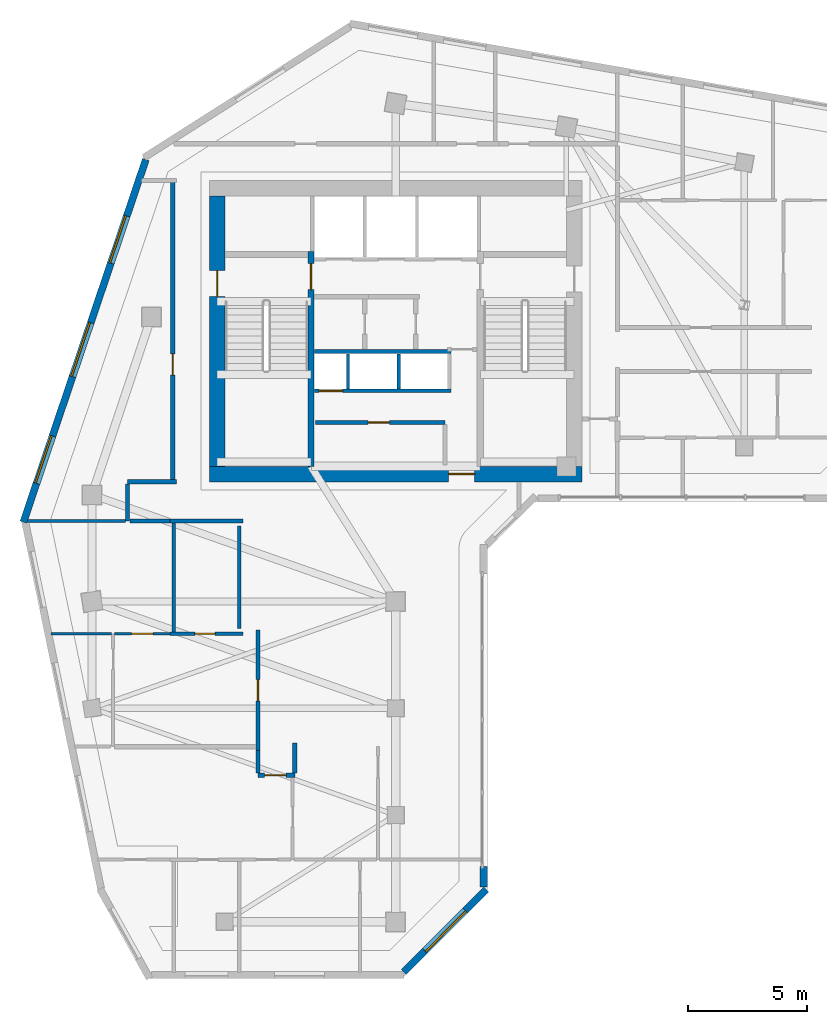
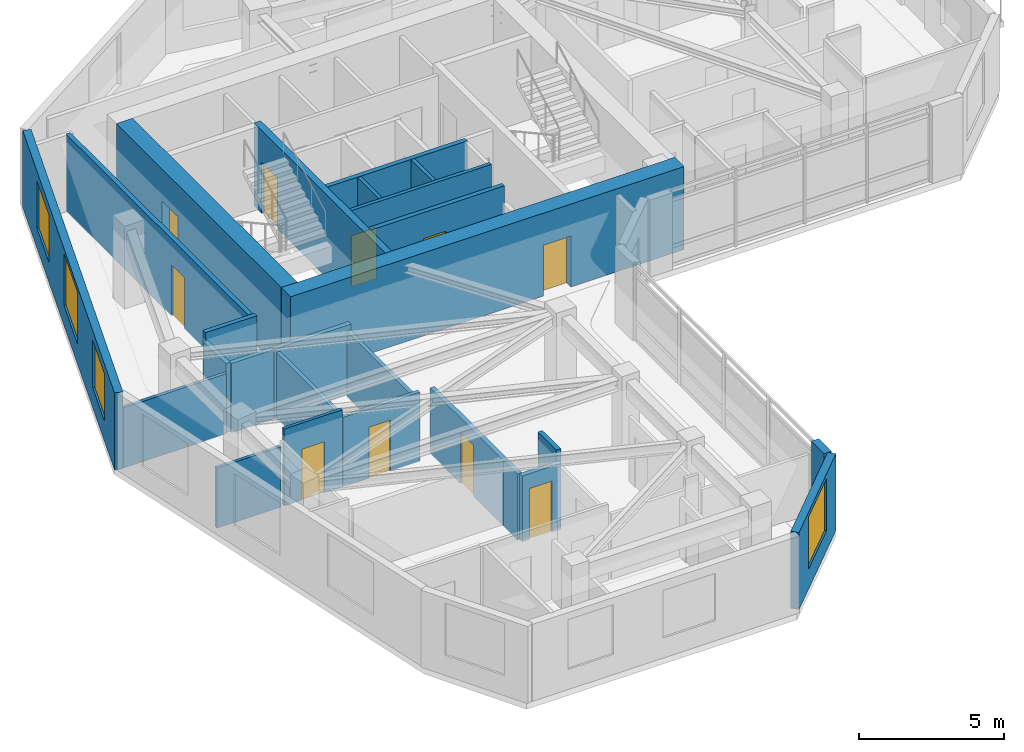
# One storey, part 4 of 10: 26 walls, 10 doors, 4 windows, 14 openings.
"""IFC4 building model written with IfcOpenShell, lengths in metres."""

from ifc_helpers import new_model, si_unit, direction, frame, frame_2d, origin, place, context, subcontext, project, spatial, rectangle, extrude, source, transform, mapped, material, layer, layer_set, type_object, element, fill, save


model = new_model("IFC4")

# Units and contexts
model_context = context("Model", 3, precision=1e-05, world=origin(), true_north=direction((0.0, 1.0)))
body_context = subcontext(model_context, "Body", "Model", "MODEL_VIEW")
ifc_project = project(units=[si_unit("LENGTHUNIT", "METRE"), si_unit("AREAUNIT", "SQUARE_METRE"), si_unit("VOLUMEUNIT", "CUBIC_METRE"), si_unit("PLANEANGLEUNIT", "RADIAN"), si_unit("MASSUNIT", "GRAM", prefix="KILO")], contexts=[model_context])

# Site, building, storey
site_placement = place(None, origin())
site = spatial("IfcSite", under=ifc_project, at=site_placement, CompositionType="ELEMENT")
building_placement = place(site_placement, origin())
building = spatial("IfcBuilding", under=site, at=building_placement, Name="Calvemar Wedge Station Tower", CompositionType="ELEMENT")
storey_placement = place(building_placement, frame((0.0, 0.0, 218.39990234375)))
storey = spatial("IfcBuildingStorey", under=building, at=storey_placement, Name="L55", CompositionType="ELEMENT", Elevation=218.39990234375)

# Wall, opening, door
ifc_material_1 = material(Name="Concrete C50", Category="concrete")
ifc_layer_1 = layer(ifc_material_1, 0.260009765625)
ifc_layer_set_1 = layer_set([ifc_layer_1], Name="Concrete C50")
wall_type_1 = type_object("IfcWallType", Name="SW-CORE-260", PredefinedType="SHEAR", material=ifc_layer_set_1)
wall_1_placement = place(storey_placement, frame((20.22998046875, 34.199951171875, 0.0), z_axis=(0.0, 0.0, 1.0), x_axis=(0.0, 1.0, 0.0)))
wall_1 = element("IfcWall", 1, at=wall_1_placement, inside=storey, type_object=wall_type_1, Name="Storey L55 Core Shear Wall SPINE-W", PredefinedType="SHEAR", context=body_context, shape_type="SweptSolid", body=[
    extrude(rectangle(XDim=9.06005859375, YDim=0.260009765625, at=frame_2d((4.530029296875, 0.0))), origin(), (0.0, 0.0, 1.0), 3.5),
])
shared_shape_1 = source(origin(), body_context, "Body", "SweptSolid", [
    extrude(rectangle(XDim=1.10009765625, YDim=2.14990234375, at=frame_2d((0.550048828125, 1.074951171875))), frame((0.0, 0.14013671875, 0.0), z_axis=(0.0, -1.0, 0.0), x_axis=(1.0, 0.0, 0.0)), (0.0, 0.0, 1.0), 0.280029296875),
])
opening_1_placement = place(wall_1_placement, frame((7.449951171875, 0.0, 0.0)))
opening_1 = element("IfcOpeningElement", 2, at=opening_1_placement, cuts=wall_1, Name="Opening FD-90", PredefinedType="OPENING", context=body_context, shape_type="MappedRepresentation", body=[
    mapped(shared_shape_1, transform((0.0, 0.0, 0.0), scale=1.0)),
])
ifc_material_2 = material(Name="Galvanized fire-rated steel door leaf P-90", Category="steel")
door_type_1 = type_object("IfcDoorType", Name="DR-FD90-1100", OperationType="NOTDEFINED", PredefinedType="DOOR", material=ifc_material_2)
shared_shape_2 = source(origin(), body_context, "Body", "SweptSolid", [
    extrude(rectangle(XDim=1.10009765625, YDim=2.14990234375, at=frame_2d((0.550048828125, 1.074951171875))), frame((0.0, 0.02490234375, 0.0), z_axis=(0.0, -1.0, 0.0), x_axis=(1.0, 0.0, 0.0)), (0.0, 0.0, 1.0), 0.050048828125),
])
door_1_placement = place(opening_1_placement, origin())
door_1 = element("IfcDoor", 3, at=door_1_placement, inside=storey, type_object=door_type_1, Name="L55 FF Lobby to Stair ST-C1 Door", OperationType="SINGLE_SWING_LEFT", OverallHeight=2.14990234375, OverallWidth=1.10009765625, PredefinedType="DOOR", context=body_context, shape_type="MappedRepresentation", body=[
    mapped(shared_shape_2, transform((0.0, 0.0, 0.0), scale=1.0)),
])
fill(opening_1, door_1)

ifc_material_3 = material(Name="Concrete C60", Category="concrete")
ifc_layer_2 = layer(ifc_material_3, 0.64990234375)
ifc_layer_set_2 = layer_set([ifc_layer_2], Name="Concrete C60")
wall_type_2 = type_object("IfcWallType", Name="SW-CORE-650", PredefinedType="SHEAR", material=ifc_layer_set_2)
wall_2_placement = place(storey_placement, frame((15.949951171875, 33.875, 0.0), z_axis=(0.0, 0.0, 1.0), x_axis=(1.0, 0.0, 0.0)))
wall_2 = element("IfcWall", 4, at=wall_2_placement, inside=storey, type_object=wall_type_2, Name="Storey L55 Core Shear Wall S", PredefinedType="SHEAR", context=body_context, shape_type="SweptSolid", body=[
    extrude(rectangle(XDim=15.699951171875, YDim=0.64990234375, at=frame_2d((7.85009765625, 0.0))), origin(), (0.0, 0.0, 1.0), 3.5),
])
shared_shape_3 = source(origin(), body_context, "Body", "SweptSolid", [
    extrude(rectangle(XDim=1.10009765625, YDim=2.14990234375, at=frame_2d((0.550048828125, 1.074951171875))), frame((0.0, 0.3349609375, 0.0), z_axis=(0.0, -1.0, 0.0), x_axis=(1.0, 0.0, 0.0)), (0.0, 0.0, 1.0), 0.669921875),
])
opening_2_placement = place(wall_2_placement, frame((10.080078125, 0.0, 0.0)))
opening_2 = element("IfcOpeningElement", 5, at=opening_2_placement, cuts=wall_2, Name="Opening FD-90", PredefinedType="OPENING", context=body_context, shape_type="MappedRepresentation", body=[
    mapped(shared_shape_3, transform((0.0, 0.0, 0.0), scale=1.0)),
])
door_2_placement = place(opening_2_placement, origin())
door_2 = element("IfcDoor", 6, at=door_2_placement, inside=storey, type_object=door_type_1, Name="L55 Passenger Lift Lobby Door", OperationType="SINGLE_SWING_LEFT", OverallHeight=2.14990234375, OverallWidth=1.10009765625, PredefinedType="DOOR", context=body_context, shape_type="MappedRepresentation", body=[
    mapped(shared_shape_2, transform((0.0, 0.0, 0.0), scale=1.0)),
])
fill(opening_2, door_2)

wall_3_placement = place(storey_placement, frame((16.27490234375, 34.199951171875, 0.0), z_axis=(0.0, 0.0, 1.0), x_axis=(0.0, 1.0, 0.0)))
wall_3 = element("IfcWall", 7, at=wall_3_placement, inside=storey, type_object=wall_type_2, Name="Storey L55 Core Shear Wall W", PredefinedType="SHEAR", context=body_context, shape_type="SweptSolid", body=[
    extrude(rectangle(XDim=11.400146484375, YDim=0.64990234375, at=frame_2d((5.7001953125, 0.0))), origin(), (0.0, 0.0, 1.0), 3.5),
])
opening_3_placement = place(wall_3_placement, frame((7.14990234375, 0.0, 0.0)))
opening_3 = element("IfcOpeningElement", 8, at=opening_3_placement, cuts=wall_3, Name="Opening FD-90", PredefinedType="OPENING", context=body_context, shape_type="MappedRepresentation", body=[
    mapped(shared_shape_3, transform((0.0, 0.0, 0.0), scale=1.0)),
])
door_3_placement = place(opening_3_placement, origin())
door_3 = element("IfcDoor", 9, at=door_3_placement, inside=storey, type_object=door_type_1, Name="L55 West Corridor to Exit Stair ST-C1 Door", OperationType="SINGLE_SWING_LEFT", OverallHeight=2.14990234375, OverallWidth=1.10009765625, PredefinedType="DOOR", context=body_context, shape_type="MappedRepresentation", body=[
    mapped(shared_shape_2, transform((0.0, 0.0, 0.0), scale=1.0)),
])
fill(opening_3, door_3)

ifc_material_4 = material(Name="Double-stud fire-rated corridor partition")
ifc_layer_3 = layer(ifc_material_4, 0.179931640625)
ifc_layer_set_3 = layer_set([ifc_layer_3], Name="Double-stud fire-rated corridor partition")
wall_type_3 = type_object("IfcWallType", Name="W-CORR-180", PredefinedType="PARTITIONING", material=ifc_layer_set_3)
wall_4_placement = place(storey_placement, frame((20.419921875, 36.050048828125, 0.0), z_axis=(0.0, 0.0, 1.0), x_axis=(1.0, 0.0, 0.0)))
wall_4 = element("IfcWall", 10, at=wall_4_placement, inside=storey, type_object=wall_type_3, Name="Storey L55 Interior Partition WL-L55-006", PredefinedType="PARTITIONING", context=body_context, shape_type="SweptSolid", body=[
    extrude(rectangle(XDim=5.4599609375, YDim=0.179931640625, at=frame_2d((2.72998046875, 0.0))), origin(), (0.0, 0.0, 1.0), 3.25),
])
shared_shape_4 = source(origin(), body_context, "Body", "SweptSolid", [
    extrude(rectangle(XDim=0.89990234375, YDim=2.14990234375, at=frame_2d((0.449951171875, 1.074951171875))), frame((0.0, 0.10009765625, 0.0), z_axis=(0.0, -1.0, 0.0), x_axis=(1.0, 0.0, 0.0)), (0.0, 0.0, 1.0), 0.199951171875),
])
opening_4_placement = place(wall_4_placement, frame((2.219482421875, 0.0, 0.0)))
opening_4 = element("IfcOpeningElement", 11, at=opening_4_placement, cuts=wall_4, Name="Opening FD-60", PredefinedType="OPENING", context=body_context, shape_type="MappedRepresentation", body=[
    mapped(shared_shape_4, transform((0.0, 0.0, 0.0), scale=1.0)),
])
ifc_material_5 = material(Name="Fire-rated acoustic timber-core entrance door EI 60", Category="wood")
door_type_2 = type_object("IfcDoorType", Name="DR-FD60-900", OperationType="NOTDEFINED", PredefinedType="DOOR", material=ifc_material_5)
shared_shape_5 = source(origin(), body_context, "Body", "SweptSolid", [
    extrude(rectangle(XDim=0.89990234375, YDim=2.14990234375, at=frame_2d((0.449951171875, 1.074951171875))), frame((0.0, 0.02490234375, 0.0), z_axis=(0.0, -1.0, 0.0), x_axis=(1.0, 0.0, 0.0)), (0.0, 0.0, 1.0), 0.050048828125),
])
door_4_placement = place(opening_4_placement, origin())
door_4 = element("IfcDoor", 12, at=door_4_placement, inside=storey, type_object=door_type_2, Name="L55 Parcel and Resident Store Door", OperationType="SINGLE_SWING_LEFT", OverallHeight=2.14990234375, OverallWidth=0.89990234375, PredefinedType="DOOR", context=body_context, shape_type="MappedRepresentation", body=[
    mapped(shared_shape_5, transform((0.0, 0.0, 0.0), scale=1.0)),
])
fill(opening_4, door_4)

# Walls
wall_5_placement = place(storey_placement, frame((12.5, 33.550048828125, 0.0), z_axis=(0.0, 0.0, 1.0), x_axis=(1.0, 0.0, 0.0)))
element("IfcWall", 13, at=wall_5_placement, inside=storey, type_object=wall_type_3, Name="Storey L55 Interior Partition WL-L55-008", PredefinedType="PARTITIONING", context=body_context, shape_type="SweptSolid", body=[
    extrude(rectangle(XDim=2.06005859375, YDim=0.179931640625, at=frame_2d((1.030029296875, 0.0))), origin(), (0.0, 0.0, 1.0), 3.25),
])
wall_6_placement = place(storey_placement, frame((12.5, 31.89990234375, 0.0), z_axis=(0.0, 0.0, 1.0), x_axis=(0.0, 1.0, 0.0)))
element("IfcWall", 14, at=wall_6_placement, inside=storey, type_object=wall_type_3, Name="Storey L55 Interior Partition WL-L55-009", PredefinedType="PARTITIONING", context=body_context, shape_type="SweptSolid", body=[
    extrude(rectangle(XDim=1.55615234375, YDim=0.179931640625, at=frame_2d((0.778076171875, 0.0))), origin(), (0.0, 0.0, 1.0), 2.919189453125),
])
wall_7_placement = place(storey_placement, frame((17.360107421875, 31.89990234375, 0.0), z_axis=(0.0, 0.0, 1.0), x_axis=(-1.0, 0.0, 0.0)))
element("IfcWall", 15, at=wall_7_placement, inside=storey, type_object=wall_type_3, Name="Storey L55 Interior Partition WL-L55-011", PredefinedType="PARTITIONING", context=body_context, shape_type="SweptSolid", body=[
    extrude(rectangle(XDim=3.070068359375, YDim=0.179931640625, at=frame_2d((1.53515625, 0.0))), origin(), (0.0, 0.0, 1.0), 2.919189453125),
])
wall_8_placement = place(storey_placement, frame((14.2880859375, 31.89990234375, 0.0), z_axis=(0.0, 0.0, 1.0), x_axis=(-1.0, 0.0, 0.0)))
element("IfcWall", 16, at=wall_8_placement, inside=storey, type_object=wall_type_3, Name="Storey L55 Interior Partition WL-L55-012", PredefinedType="PARTITIONING", context=body_context, shape_type="SweptSolid", body=[
    extrude(rectangle(XDim=1.694091796875, YDim=0.179931640625, at=frame_2d((0.84716796875, 0.0))), origin(), (0.0, 0.0, 1.0), 2.919189453125),
])

# Wall, opening, door
wall_9_placement = place(storey_placement, frame((14.39990234375, 33.64404296875, 0.0), z_axis=(0.0, 0.0, 1.0), x_axis=(0.0, 1.0, 0.0)))
wall_9 = element("IfcWall", 17, at=wall_9_placement, inside=storey, type_object=wall_type_3, Name="Storey L55 Interior Partition WL-L55-013", PredefinedType="PARTITIONING", context=body_context, shape_type="SweptSolid", body=[
    extrude(rectangle(XDim=12.60595703125, YDim=0.179931640625, at=frame_2d((6.302978515625, 0.0))), origin(), (0.0, 0.0, 1.0), 3.25),
])
opening_5_placement = place(wall_9_placement, frame((4.399169921875, 0.0, 0.0)))
opening_5 = element("IfcOpeningElement", 18, at=opening_5_placement, cuts=wall_9, Name="Opening D-01", PredefinedType="OPENING", context=body_context, shape_type="MappedRepresentation", body=[
    mapped(shared_shape_4, transform((0.0, 0.0, 0.0), scale=1.0)),
])
ifc_material_6 = material(Name="Architectural hardwood acoustic swing door", Category="wood")
door_type_3 = type_object("IfcDoorType", Name="DR-INT-900", OperationType="NOTDEFINED", PredefinedType="DOOR", material=ifc_material_6)
shared_shape_6 = source(origin(), body_context, "Body", "SweptSolid", [
    extrude(rectangle(XDim=0.89990234375, YDim=2.14990234375, at=frame_2d((0.449951171875, 1.074951171875))), frame((0.0, 0.02490234375, 0.0), z_axis=(0.0, -1.0, 0.0), x_axis=(1.0, 0.0, 0.0)), (0.0, 0.0, 1.0), 0.050048828125),
])
door_5_placement = place(opening_5_placement, origin())
door_5 = element("IfcDoor", 19, at=door_5_placement, inside=storey, type_object=door_type_3, Name="L55 Resident Reading Lounge Door", OperationType="SINGLE_SWING_RIGHT", OverallHeight=2.14990234375, OverallWidth=0.89990234375, PredefinedType="DOOR", context=body_context, shape_type="MappedRepresentation", body=[
    mapped(shared_shape_6, transform((0.0, 0.0, 0.0), scale=1.0)),
])
fill(opening_5, door_5)

wall_10_placement = place(storey_placement, frame((18.0, 22.222900390625, 0.0), z_axis=(0.0, 0.0, 1.0), x_axis=(0.0, 1.0, 0.0)))
wall_10 = element("IfcWall", 20, at=wall_10_placement, inside=storey, type_object=wall_type_3, Name="Storey L55 Interior Partition WL-L55-044", PredefinedType="PARTITIONING", context=body_context, shape_type="SweptSolid", body=[
    extrude(rectangle(XDim=5.0791015625, YDim=0.179931640625, at=frame_2d((2.53955078125, 0.0))), origin(), (0.0, 0.0, 1.0), 2.76611328125),
])
opening_6_placement = place(wall_10_placement, frame((2.089599609375, 0.0, 0.0)))
opening_6 = element("IfcOpeningElement", 21, at=opening_6_placement, cuts=wall_10, Name="Opening FD-60", PredefinedType="OPENING", context=body_context, shape_type="MappedRepresentation", body=[
    mapped(shared_shape_4, transform((0.0, 0.0, 0.0), scale=1.0)),
])
door_6_placement = place(opening_6_placement, origin())
door_6 = element("IfcDoor", 22, at=door_6_placement, inside=storey, type_object=door_type_2, Name="L55 Living Dining Door", OperationType="SINGLE_SWING_RIGHT", OverallHeight=2.14990234375, OverallWidth=0.89990234375, PredefinedType="DOOR", context=body_context, shape_type="MappedRepresentation", body=[
    mapped(shared_shape_5, transform((0.0, 0.0, 0.0), scale=1.0)),
])
fill(opening_6, door_6)

wall_11_placement = place(storey_placement, frame((19.550048828125, 21.18310546875, 0.0), z_axis=(0.0, 0.0, 1.0), x_axis=(-1.0, 0.0, 0.0)))
wall_11 = element("IfcWall", 23, at=wall_11_placement, inside=storey, type_object=wall_type_3, Name="Storey L55 Interior Partition WL-L55-045", PredefinedType="PARTITIONING", context=body_context, shape_type="SweptSolid", body=[
    extrude(rectangle(XDim=1.550048828125, YDim=0.179931640625, at=frame_2d((0.77490234375, 0.0))), origin(), (0.0, 0.0, 1.0), 2.779052734375),
])
opening_7_placement = place(wall_11_placement, frame((0.3701171875, 0.0, 0.0)))
opening_7 = element("IfcOpeningElement", 24, at=opening_7_placement, cuts=wall_11, Name="Opening FD-60", PredefinedType="OPENING", context=body_context, shape_type="MappedRepresentation", body=[
    mapped(shared_shape_4, transform((0.0, 0.0, 0.0), scale=1.0)),
])
door_7_placement = place(opening_7_placement, origin())
door_7 = element("IfcDoor", 25, at=door_7_placement, inside=storey, type_object=door_type_2, Name="L55 Living Dining Door", OperationType="SINGLE_SWING_LEFT", OverallHeight=2.14990234375, OverallWidth=0.89990234375, PredefinedType="DOOR", context=body_context, shape_type="MappedRepresentation", body=[
    mapped(shared_shape_5, transform((0.0, 0.0, 0.0), scale=1.0)),
])
fill(opening_7, door_7)

# Walls
wall_12_placement = place(storey_placement, frame((18.0, 21.277099609375, 0.0), z_axis=(0.0, 0.0, 1.0), x_axis=(0.0, 1.0, 0.0)))
element("IfcWall", 26, at=wall_12_placement, inside=storey, type_object=wall_type_3, Name="Storey L55 Interior Partition WL-L55-046", PredefinedType="PARTITIONING", context=body_context, shape_type="SweptSolid", body=[
    extrude(rectangle(XDim=0.94384765625, YDim=0.179931640625, at=frame_2d((0.471923828125, 0.0))), origin(), (0.0, 0.0, 1.0), 2.779052734375),
])
wall_13_placement = place(storey_placement, frame((19.550048828125, 22.54296875, 0.0), z_axis=(0.0, 0.0, 1.0), x_axis=(0.0, -1.0, 0.0)))
element("IfcWall", 27, at=wall_13_placement, inside=storey, type_object=wall_type_3, Name="Storey L55 Interior Partition WL-L55-047", PredefinedType="PARTITIONING", context=body_context, shape_type="SweptSolid", body=[
    extrude(rectangle(XDim=1.265869140625, YDim=0.179931640625, at=frame_2d((0.6328125, 0.0))), origin(), (0.0, 0.0, 1.0), 3.25),
])

# Wall, opening, window
ifc_material_7 = material(Name="Precast concrete C45", Category="concrete")
ifc_layer_4 = layer(ifc_material_7, 0.300048828125)
ifc_layer_set_4 = layer_set([ifc_layer_4], Name="Precast concrete C45")
wall_type_4 = type_object("IfcWallType", Name="W-EXT-GFRC-300", PredefinedType="SOLIDWALL", material=ifc_layer_set_4)
wall_14_placement = place(storey_placement, frame((24.139892578125, 12.887939453125, 0.0), z_axis=(0.0, 0.0, 1.0), x_axis=(0.707106781187, 0.707106781187, 0.0)))
wall_14 = element("IfcWall", 28, at=wall_14_placement, inside=storey, type_object=wall_type_4, Name="Storey L55 Bronze GFRC Exterior Wall 3", PredefinedType="SOLIDWALL", context=body_context, shape_type="SweptSolid", body=[
    extrude(rectangle(XDim=4.921875, YDim=0.300048828125, at=frame_2d((2.4609375, 0.0))), origin(), (0.0, 0.0, 1.0), 3.25),
])
shared_shape_7 = source(origin(), body_context, "Body", "SweptSolid", [
    extrude(rectangle(XDim=2.39990234375, YDim=2.199951171875, at=frame_2d((1.199951171875, 1.10009765625))), frame((0.0, 0.16015625, 0.0), z_axis=(0.0, -1.0, 0.0), x_axis=(1.0, 0.0, 0.0)), (0.0, 0.0, 1.0), 0.320068359375),
])
opening_8_placement = place(wall_14_placement, frame((1.260986328125, 0.0, 0.85009765625)))
opening_8 = element("IfcOpeningElement", 29, at=opening_8_placement, cuts=wall_14, Name="Opening W1", PredefinedType="OPENING", context=body_context, shape_type="MappedRepresentation", body=[
    mapped(shared_shape_7, transform((0.0, 0.0, 0.0), scale=1.0)),
])
ifc_material_8 = material(Name="Low-E laminated insulated glass", Category="glass")
window_type_1 = type_object("IfcWindowType", Name="WIN-EXT-1", PartitioningType="SINGLE_PANEL", PredefinedType="WINDOW", material=ifc_material_8)
shared_shape_8 = source(origin(), body_context, "Body", "SweptSolid", [
    extrude(rectangle(XDim=2.39990234375, YDim=2.199951171875, at=frame_2d((1.199951171875, 1.10009765625))), frame((0.0, -0.014892578125, 0.0), z_axis=(0.0, -1.0, 0.0), x_axis=(1.0, 0.0, 0.0)), (0.0, 0.0, 1.0), 0.06005859375),
])
window_1_placement = place(opening_8_placement, origin())
window_1 = element("IfcWindow", 30, at=window_1_placement, inside=storey, type_object=window_type_1, Name="Storey L55 Recessed Window 3.1", OverallHeight=2.199951171875, OverallWidth=2.39990234375, PartitioningType="SINGLE_PANEL", PredefinedType="WINDOW", context=body_context, shape_type="MappedRepresentation", body=[
    mapped(shared_shape_8, transform((0.0, 0.0, 0.0), scale=1.0)),
])
fill(opening_8, window_1)

# Wall
wall_15_placement = place(storey_placement, frame((27.513916015625, 16.457275390625, 0.0), z_axis=(0.0, 0.0, 1.0), x_axis=(0.0, 1.0, 0.0)))
element("IfcWall", 31, at=wall_15_placement, inside=storey, type_object=wall_type_4, Name="Storey L55 Bronze GFRC Corner Pier 4A", PredefinedType="SOLIDWALL", context=body_context, shape_type="SweptSolid", body=[
    extrude(rectangle(XDim=0.88232421875, YDim=0.300048828125, at=frame_2d((0.441162109375, 0.0))), origin(), (0.0, 0.0, 1.0), 3.25),
])

# Wall, openings, windows
wall_16_placement = place(storey_placement, frame((13.2685546875, 47.1337890625, 0.0), z_axis=(0.0, 0.0, 1.0), x_axis=(-0.319920776449, -0.947444297464, 0.0)))
wall_16 = element("IfcWall", 32, at=wall_16_placement, inside=storey, type_object=wall_type_4, Name="Storey L55 Bronze GFRC Exterior Wall 12", PredefinedType="SOLIDWALL", context=body_context, shape_type="SweptSolid", body=[
    extrude(rectangle(XDim=16.13330078125, YDim=0.300048828125, at=frame_2d((8.066650390625, 0.0))), origin(), (0.0, 0.0, 1.0), 3.25),
])
shared_shape_9 = source(origin(), body_context, "Body", "SweptSolid", [
    extrude(rectangle(XDim=2.10009765625, YDim=2.0, at=frame_2d((1.050048828125, 1.0))), frame((0.0, 0.16015625, 0.0), z_axis=(0.0, -1.0, 0.0), x_axis=(1.0, 0.0, 0.0)), (0.0, 0.0, 1.0), 0.320068359375),
])
opening_9_placement = place(wall_16_placement, frame((2.512939453125, 0.0, 0.85009765625)))
opening_9 = element("IfcOpeningElement", 33, at=opening_9_placement, cuts=wall_16, Name="Opening W4", PredefinedType="OPENING", context=body_context, shape_type="MappedRepresentation", body=[
    mapped(shared_shape_9, transform((0.0, 0.0, 0.0), scale=1.0)),
])
opening_10_placement = place(wall_16_placement, frame((7.260009765625, 0.0, 0.85009765625)))
opening_10 = element("IfcOpeningElement", 34, at=opening_10_placement, cuts=wall_16, Name="Opening W1", PredefinedType="OPENING", context=body_context, shape_type="MappedRepresentation", body=[
    mapped(shared_shape_7, transform((0.0, 0.0, 0.0), scale=1.0)),
])
opening_11_placement = place(wall_16_placement, frame((12.306884765625, 0.0, 0.85009765625)))
opening_11 = element("IfcOpeningElement", 35, at=opening_11_placement, cuts=wall_16, Name="Opening W4", PredefinedType="OPENING", context=body_context, shape_type="MappedRepresentation", body=[
    mapped(shared_shape_9, transform((0.0, 0.0, 0.0), scale=1.0)),
])
window_type_2 = type_object("IfcWindowType", Name="WIN-EXT-4", PartitioningType="SINGLE_PANEL", PredefinedType="WINDOW", material=ifc_material_8)
shared_shape_10 = source(origin(), body_context, "Body", "SweptSolid", [
    extrude(rectangle(XDim=2.10009765625, YDim=2.0, at=frame_2d((1.050048828125, 1.0))), frame((0.0, -0.014892578125, 0.0), z_axis=(0.0, -1.0, 0.0), x_axis=(1.0, 0.0, 0.0)), (0.0, 0.0, 1.0), 0.06005859375),
])
window_2_placement = place(opening_9_placement, origin())
window_2 = element("IfcWindow", 36, at=window_2_placement, inside=storey, type_object=window_type_2, Name="Storey L55 Recessed Window 12.1", OverallHeight=2.0, OverallWidth=2.10009765625, PartitioningType="SINGLE_PANEL", PredefinedType="WINDOW", context=body_context, shape_type="MappedRepresentation", body=[
    mapped(shared_shape_10, transform((0.0, 0.0, 0.0), scale=1.0)),
])
fill(opening_9, window_2)
window_3_placement = place(opening_11_placement, origin())
window_3 = element("IfcWindow", 37, at=window_3_placement, inside=storey, type_object=window_type_2, Name="Storey L55 Recessed Window 12.3", OverallHeight=2.0, OverallWidth=2.10009765625, PartitioningType="SINGLE_PANEL", PredefinedType="WINDOW", context=body_context, shape_type="MappedRepresentation", body=[
    mapped(shared_shape_10, transform((0.0, 0.0, 0.0), scale=1.0)),
])
fill(opening_11, window_3)
window_4_placement = place(opening_10_placement, origin())
window_4 = element("IfcWindow", 38, at=window_4_placement, inside=storey, type_object=window_type_1, Name="Storey L55 Recessed Window 12.2", OverallHeight=2.199951171875, OverallWidth=2.39990234375, PartitioningType="SINGLE_PANEL", PredefinedType="WINDOW", context=body_context, shape_type="MappedRepresentation", body=[
    mapped(shared_shape_8, transform((0.0, 0.0, 0.0), scale=1.0)),
])
fill(opening_10, window_4)

# Wall, opening, door
ifc_material_9 = material(Name="Reinforced concrete blockwork lift shaft wall", Category="masonry")
ifc_layer_5 = layer(ifc_material_9, 0.139892578125)
ifc_layer_set_5 = layer_set([ifc_layer_5], Name="Reinforced concrete blockwork lift shaft wall")
wall_type_5 = type_object("IfcWallType", Name="W-LIFT-160", PredefinedType="SOLIDWALL", material=ifc_layer_set_5)
wall_17_placement = place(storey_placement, frame((20.3798828125, 37.3798828125, 0.0), z_axis=(0.0, 0.0, 1.0), x_axis=(1.0, 0.0, 0.0)))
wall_17 = element("IfcWall", 39, at=wall_17_placement, inside=storey, type_object=wall_type_5, Name="Storey L55 Upper Passenger Lift Bank Front Wall", PredefinedType="SOLIDWALL", context=body_context, shape_type="SweptSolid", body=[
    extrude(rectangle(XDim=5.75, YDim=0.139892578125, at=frame_2d((2.875, 0.0))), origin(), (0.0, 0.0, 1.0), 3.25),
])
shared_shape_11 = source(origin(), body_context, "Body", "SweptSolid", [
    extrude(rectangle(XDim=1.0, YDim=2.14990234375, at=frame_2d((0.5, 1.074951171875))), frame((0.0, 0.080078125, 0.0), z_axis=(0.0, -1.0, 0.0), x_axis=(1.0, 0.0, 0.0)), (0.0, 0.0, 1.0), 0.159912109375),
])
opening_12_placement = place(wall_17_placement, frame((0.18994140625, 0.0, 0.0)))
opening_12 = element("IfcOpeningElement", 40, at=opening_12_placement, cuts=wall_17, Name="Opening LD-PAX", PredefinedType="OPENING", context=body_context, shape_type="MappedRepresentation", body=[
    mapped(shared_shape_11, transform((0.0, 0.0, 0.0), scale=1.0)),
])
ifc_material_10 = material(Name="Anodised bronze passenger lift sliding landing door")
door_type_4 = type_object("IfcDoorType", Name="DR-LD-PAX-1000", OperationType="SLIDING_TO_LEFT", PredefinedType="DOOR", material=ifc_material_10)
shared_shape_12 = source(origin(), body_context, "Body", "SweptSolid", [
    extrude(rectangle(XDim=1.0, YDim=2.14990234375, at=frame_2d((0.5, 1.074951171875))), frame((0.0, 0.02490234375, 0.0), z_axis=(0.0, -1.0, 0.0), x_axis=(1.0, 0.0, 0.0)), (0.0, 0.0, 1.0), 0.050048828125),
])
door_8_placement = place(opening_12_placement, origin())
door_8 = element("IfcDoor", 41, at=door_8_placement, inside=storey, type_object=door_type_4, Name="L55 Lift RH-01 Sliding Landing Door", OperationType="SLIDING_TO_LEFT", OverallHeight=2.14990234375, OverallWidth=1.0, PredefinedType="DOOR", context=body_context, shape_type="MappedRepresentation", body=[
    mapped(shared_shape_12, transform((0.0, 0.0, 0.0), scale=1.0)),
])
fill(opening_12, door_8)

# Walls
for number, where, z_axis, x_axis, name in (
    (42, (21.794921875, 37.4599609375, 0.0), (0.0, 0.0, 1.0), (0.0, 1.0, 0.0), "Storey L55 Upper Passenger Lift Shaft Wall D1"),
    (43, (23.93505859375, 37.4599609375, 0.0), (0.0, 0.0, 1.0), (0.0, 1.0, 0.0), "Storey L55 Upper Passenger Lift Shaft Wall D2"),
):
    element("IfcWall", number, at=place(storey_placement, frame(where, z_axis=z_axis, x_axis=x_axis)), inside=storey, type_object=wall_type_5, Name=name, PredefinedType="SOLIDWALL", context=body_context, shape_type="SweptSolid", body=[
        extrude(rectangle(XDim=1.47998046875, YDim=0.139892578125, at=frame_2d((0.739990234375, 0.0))), origin(), (0.0, 0.0, 1.0), 3.25),
    ])
ifc_material_11 = material(Name="Insulated acoustic gypsum stud partition")
ifc_layer_6 = layer(ifc_material_11, 0.125)
ifc_layer_set_6 = layer_set([ifc_layer_6], Name="Insulated acoustic gypsum stud partition")
wall_type_6 = type_object("IfcWallType", Name="W-PART-125", PredefinedType="PARTITIONING", material=ifc_layer_set_6)
wall_18_placement = place(storey_placement, frame((12.406005859375, 31.89990234375, 0.0), z_axis=(0.0, 0.0, 1.0), x_axis=(-1.0, 0.0, 0.0)))
element("IfcWall", 44, at=wall_18_placement, inside=storey, type_object=wall_type_6, Name="Storey L55 Interior Partition WL-L55-023", PredefinedType="PARTITIONING", context=body_context, shape_type="SweptSolid", body=[
    extrude(rectangle(XDim=4.11474609375, YDim=0.125, at=frame_2d((2.057373046875, 0.0))), origin(), (0.0, 0.0, 1.0), 2.5419921875),
])

# Wall, opening, door
wall_19_placement = place(storey_placement, frame((11.95751953125, 27.14208984375, 0.0), z_axis=(0.0, 0.0, 1.0), x_axis=(1.0, 0.0, 0.0)))
wall_19 = element("IfcWall", 45, at=wall_19_placement, inside=storey, type_object=wall_type_6, Name="Storey L55 Interior Partition WL-L55-050", PredefinedType="PARTITIONING", context=body_context, shape_type="SweptSolid", body=[
    extrude(rectangle(XDim=2.33056640625, YDim=0.125, at=frame_2d((1.165283203125, 0.0))), origin(), (0.0, 0.0, 1.0), 3.25),
])
shared_shape_13 = source(origin(), body_context, "Body", "SweptSolid", [
    extrude(rectangle(XDim=0.89990234375, YDim=2.14990234375, at=frame_2d((0.449951171875, 1.074951171875))), frame((0.0, 0.072509765625, 0.0), z_axis=(0.0, -1.0, 0.0), x_axis=(1.0, 0.0, 0.0)), (0.0, 0.0, 1.0), 0.14501953125),
])
opening_13_placement = place(wall_19_placement, frame((0.71533203125, 0.0, 0.0)))
opening_13 = element("IfcOpeningElement", 46, at=opening_13_placement, cuts=wall_19, Name="Opening D-01", PredefinedType="OPENING", context=body_context, shape_type="MappedRepresentation", body=[
    mapped(shared_shape_13, transform((0.0, 0.0, 0.0), scale=1.0)),
])
door_9_placement = place(opening_13_placement, origin())
door_9 = element("IfcDoor", 47, at=door_9_placement, inside=storey, type_object=door_type_3, Name="L55 Bedroom Door", OperationType="SINGLE_SWING_LEFT", OverallHeight=2.14990234375, OverallWidth=0.89990234375, PredefinedType="DOOR", context=body_context, shape_type="MappedRepresentation", body=[
    mapped(shared_shape_6, transform((0.0, 0.0, 0.0), scale=1.0)),
])
fill(opening_13, door_9)

# Walls
wall_20_placement = place(storey_placement, frame((9.274169921875, 27.14208984375, 0.0), z_axis=(0.0, 0.0, 1.0), x_axis=(1.0, 0.0, 0.0)))
element("IfcWall", 48, at=wall_20_placement, inside=storey, type_object=wall_type_6, Name="Storey L55 Interior Partition WL-L55-052", PredefinedType="PARTITIONING", context=body_context, shape_type="SweptSolid", body=[
    extrude(rectangle(XDim=2.55029296875, YDim=0.125, at=frame_2d((1.275146484375, 0.0))), origin(), (0.0, 0.0, 1.0), 2.5419921875),
])
ifc_material_12 = material(Name="Concrete blockwork and fireboard shaft wall", Category="masonry")
ifc_layer_7 = layer(ifc_material_12, 0.199951171875)
ifc_layer_set_7 = layer_set([ifc_layer_7], Name="Concrete blockwork and fireboard shaft wall")
wall_type_7 = type_object("IfcWallType", Name="W-SHAFT-200", PredefinedType="SOLIDWALL", material=ifc_layer_set_7)
wall_21_placement = place(storey_placement, frame((20.3798828125, 39.0400390625, 0.0), z_axis=(0.0, 0.0, 1.0), x_axis=(1.0, 0.0, 0.0)))
element("IfcWall", 49, at=wall_21_placement, inside=storey, type_object=wall_type_7, Name="Storey L55 Upper Passenger Lift Bank Rear Shaft Wall", PredefinedType="SOLIDWALL", context=body_context, shape_type="SweptSolid", body=[
    extrude(rectangle(XDim=5.75, YDim=0.179931640625, at=frame_2d((2.875, 0.0))), origin(), (0.0, 0.0, 1.0), 3.25),
])

# Wall, opening, door
ifc_material_13 = material(Name="Moisture-resistant acoustic bathroom partition")
ifc_layer_8 = layer(ifc_material_13, 0.14990234375)
ifc_layer_set_8 = layer_set([ifc_layer_8], Name="Moisture-resistant acoustic bathroom partition")
wall_type_8 = type_object("IfcWallType", Name="W-WET-150", PredefinedType="PARTITIONING", material=ifc_layer_set_8)
wall_22_placement = place(storey_placement, frame((14.2900390625, 27.14208984375, 0.0), z_axis=(0.0, 0.0, 1.0), x_axis=(1.0, 0.0, 0.0)))
wall_22 = element("IfcWall", 50, at=wall_22_placement, inside=storey, type_object=wall_type_8, Name="Storey L55 Interior Partition WL-L55-049", PredefinedType="PARTITIONING", context=body_context, shape_type="SweptSolid", body=[
    extrude(rectangle(XDim=3.070068359375, YDim=0.14990234375, at=frame_2d((1.53515625, 0.0))), origin(), (0.0, 0.0, 1.0), 2.919189453125),
])
shared_shape_14 = source(origin(), body_context, "Body", "SweptSolid", [
    extrude(rectangle(XDim=0.85009765625, YDim=2.14990234375, at=frame_2d((0.425048828125, 1.074951171875))), frame((0.0, 0.0849609375, 0.0), z_axis=(0.0, -1.0, 0.0), x_axis=(1.0, 0.0, 0.0)), (0.0, 0.0, 1.0), 0.169921875),
])
opening_14_placement = place(wall_22_placement, frame((1.046142578125, 0.0, 0.0)))
opening_14 = element("IfcOpeningElement", 51, at=opening_14_placement, cuts=wall_22, Name="Opening D-02", PredefinedType="OPENING", context=body_context, shape_type="MappedRepresentation", body=[
    mapped(shared_shape_14, transform((0.0, 0.0, 0.0), scale=1.0)),
])
ifc_material_14 = material(Name="Moisture-sealed bathroom hardwood swing door", Category="wood")
door_type_5 = type_object("IfcDoorType", Name="DR-WET-850", OperationType="NOTDEFINED", PredefinedType="DOOR", material=ifc_material_14)
shared_shape_15 = source(origin(), body_context, "Body", "SweptSolid", [
    extrude(rectangle(XDim=0.85009765625, YDim=2.14990234375, at=frame_2d((0.425048828125, 1.074951171875))), frame((0.0, 0.02490234375, 0.0), z_axis=(0.0, -1.0, 0.0), x_axis=(1.0, 0.0, 0.0)), (0.0, 0.0, 1.0), 0.050048828125),
])
door_10_placement = place(opening_14_placement, origin())
door_10 = element("IfcDoor", 52, at=door_10_placement, inside=storey, type_object=door_type_5, Name="L55 Bathroom Door", OperationType="SINGLE_SWING_RIGHT", OverallHeight=2.14990234375, OverallWidth=0.85009765625, PredefinedType="DOOR", context=body_context, shape_type="MappedRepresentation", body=[
    mapped(shared_shape_15, transform((0.0, 0.0, 0.0), scale=1.0)),
])
fill(opening_14, door_10)

# Walls
wall_23_placement = place(storey_placement, frame((14.449951171875, 27.220947265625, 0.0), z_axis=(0.0, 0.0, 1.0), x_axis=(0.0, 1.0, 0.0)))
element("IfcWall", 53, at=wall_23_placement, inside=storey, type_object=wall_type_8, Name="Storey L55 Interior Partition WL-L55-054", PredefinedType="PARTITIONING", context=body_context, shape_type="SweptSolid", body=[
    extrude(rectangle(XDim=4.5849609375, YDim=0.14990234375, at=frame_2d((2.29248046875, 0.0))), origin(), (0.0, 0.0, 1.0), 2.76611328125),
])
wall_24_placement = place(storey_placement, frame((17.199951171875, 31.679931640625, 0.0), z_axis=(0.0, 0.0, 1.0), x_axis=(0.0, -1.0, 0.0)))
element("IfcWall", 54, at=wall_24_placement, inside=storey, type_object=wall_type_8, Name="Storey L55 Bathroom Enclosure Wall WL-L55-066", PredefinedType="PARTITIONING", context=body_context, shape_type="SweptSolid", body=[
    extrude(rectangle(XDim=4.31787109375, YDim=0.14990234375, at=frame_2d((2.158935546875, 0.0))), origin(), (0.0, 0.0, 1.0), 2.76611328125),
])

save(model, "model.ifc")
